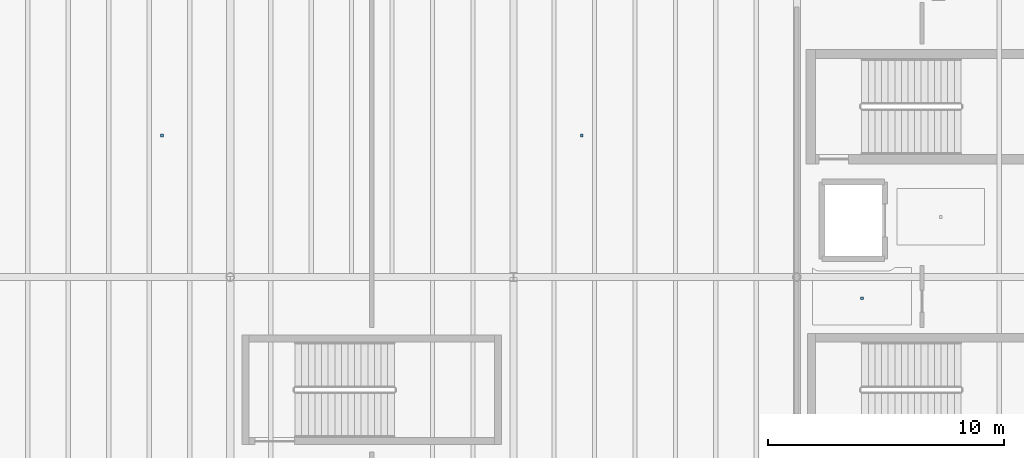
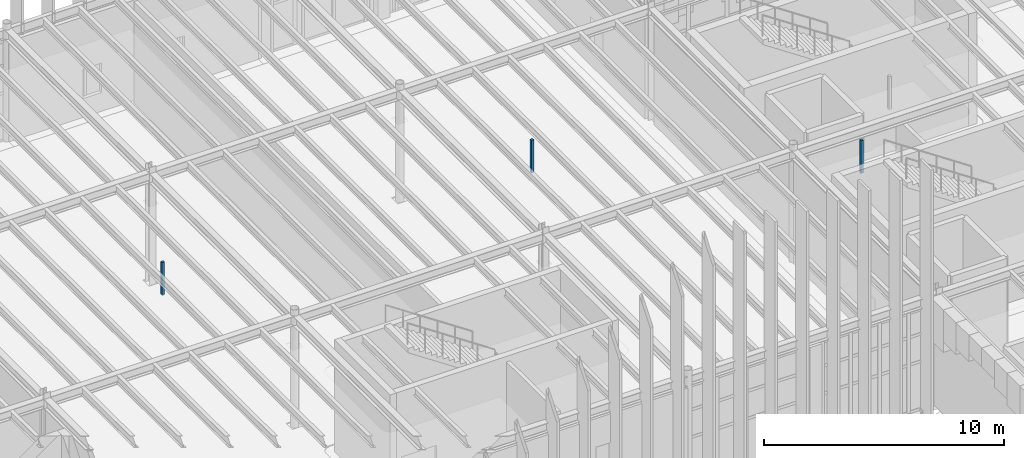
# One storey, part 54 of 83: 3 discrete accessories.
"""IFC4 building model written with IfcOpenShell, lengths in metres."""

from ifc_helpers import new_model, si_unit, direction, frame, origin, origin_2d, place, context, subcontext, project, spatial, rectangle, extrude, material, type_object, element, save


model = new_model("IFC4")

# Units and contexts
model_context = context("Model", 3, precision=1e-05, world=origin(), true_north=direction((0.0, 1.0)))
body_context = subcontext(model_context, "Body", "Model", "MODEL_VIEW")
ifc_project = project(units=[si_unit("LENGTHUNIT", "METRE"), si_unit("AREAUNIT", "SQUARE_METRE"), si_unit("VOLUMEUNIT", "CUBIC_METRE"), si_unit("PLANEANGLEUNIT", "RADIAN"), si_unit("MASSUNIT", "GRAM", prefix="KILO")], contexts=[model_context])

# Site, building, storey
site_placement = place(None, origin())
site = spatial("IfcSite", under=ifc_project, at=site_placement, CompositionType="ELEMENT")
building_placement = place(site_placement, origin())
building = spatial("IfcBuilding", under=site, at=building_placement, Name="Zlatogorsky Bluff Art Gallery", CompositionType="ELEMENT")
storey_placement = place(building_placement, frame((0.0, 0.0, 10.800048828125)))
storey = spatial("IfcBuildingStorey", under=building, at=storey_placement, Name="L02", CompositionType="ELEMENT", Elevation=10.800048828125)

# Discrete accessories
ifc_material = material(Name="Steel S355", Category="steel")
discrete_accessory_type = type_object("IfcDiscreteAccessoryType", Name="Stainless Facade Fin Bracket BRK-01", PredefinedType="BRACKET", material=ifc_material)
for number, where, z_axis, x_axis, name in (
    (1, (93.110107421875, 101.998779296875, 4.05517578125), (0.0, 0.0, 1.0), (1.0, 0.0, 0.0), "Acoustic ceiling suspension hanger L02-G3-11"),
    (2, (110.889892578125, 102.001220703125, 4.05517578125), (0.0, 0.0, 1.0), (1.0, 0.0, 0.0), "Acoustic ceiling suspension hanger L02-G3-12"),
    (3, (122.762451171875, 95.10498046875, 4.05517578125), (0.0, 0.0, 1.0), (1.0, 0.0, 0.0), "Acoustic ceiling suspension hanger L02-CR-11"),
):
    element("IfcDiscreteAccessory", number, at=place(storey_placement, frame(where, z_axis=z_axis, x_axis=x_axis)), inside=storey, type_object=discrete_accessory_type, Name=name, PredefinedType="BRACKET", context=body_context, shape_type="SweptSolid", body=[
        extrude(rectangle(XDim=0.1201171875, YDim=0.1201171875, at=origin_2d()), origin(), (0.0, 0.0, 1.0), 1.659912109375),
    ])

save(model, "model.ifc")
